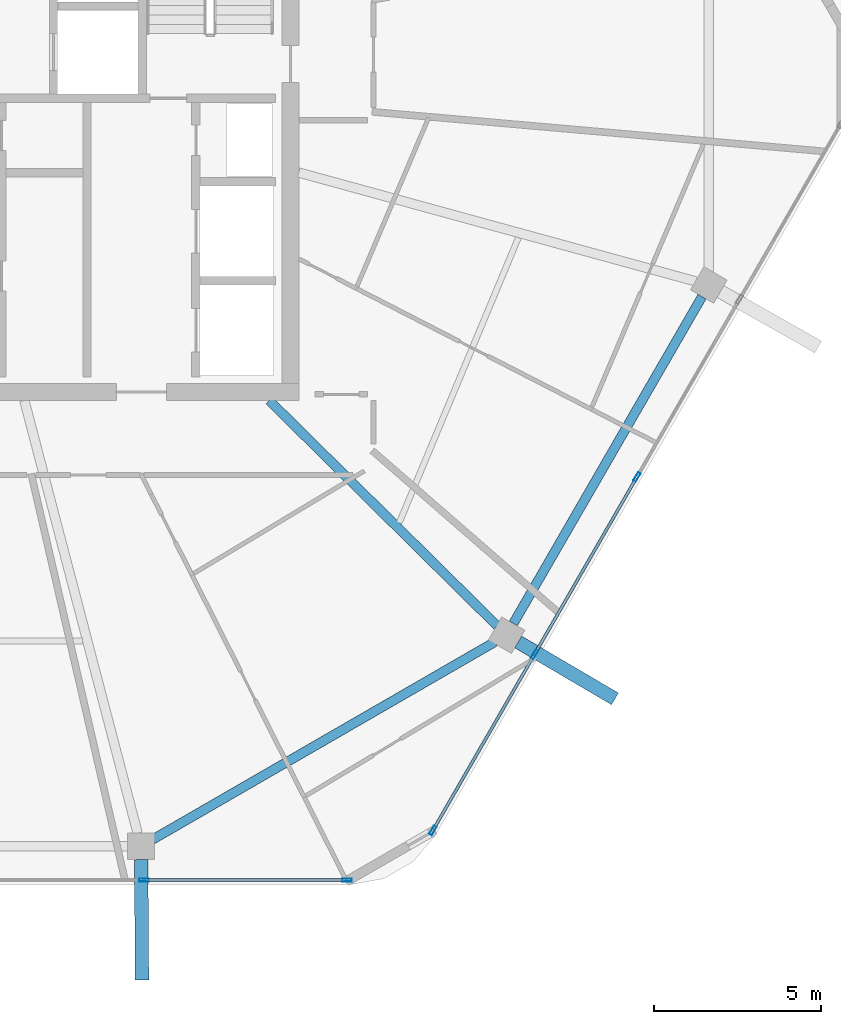
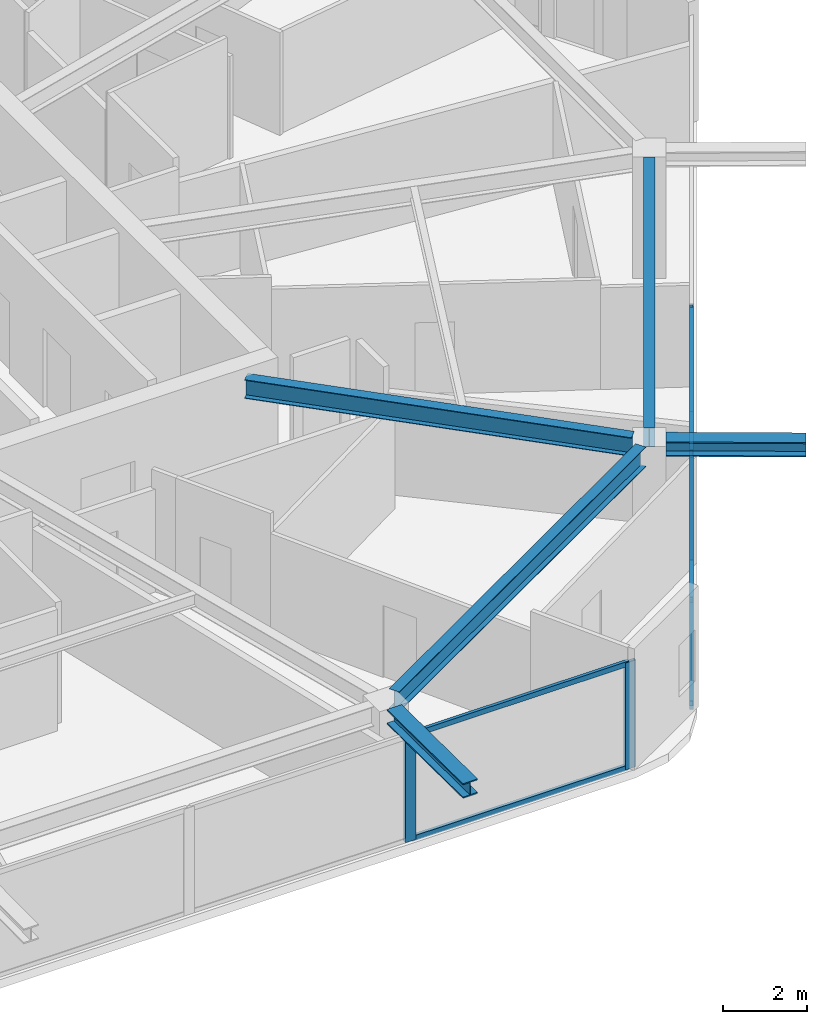
# One storey, part 5 of 21: 11 members, 5 beams, 2 elements without a shape of their own.
"""IFC4 building model written with IfcOpenShell, lengths in metres."""

from ifc_helpers import new_model, si_unit, direction, frame, origin, origin_2d, place, context, subcontext, project, spatial, hollow_rectangle, i_section, extrude, material, material_profile, profile_set, type_object, element, aggregate, save


model = new_model("IFC4")

# Units and contexts
model_context = context("Model", 3, precision=1e-05, world=origin(), true_north=direction((0.0, 1.0)))
body_context = subcontext(model_context, "Body", "Model", "MODEL_VIEW")
ifc_project = project(units=[si_unit("LENGTHUNIT", "METRE"), si_unit("AREAUNIT", "SQUARE_METRE"), si_unit("VOLUMEUNIT", "CUBIC_METRE"), si_unit("PLANEANGLEUNIT", "RADIAN"), si_unit("MASSUNIT", "GRAM", prefix="KILO")], contexts=[model_context])

# Site, building, storey
site_placement = place(None, origin())
site = spatial("IfcSite", under=ifc_project, at=site_placement, CompositionType="ELEMENT")
building_placement = place(site_placement, origin())
building = spatial("IfcBuilding", under=site, at=building_placement, Name="Zuhravey Tower", CompositionType="ELEMENT")
storey_placement = place(building_placement, frame((0.0, 0.0, 319.60009765625)))
storey = spatial("IfcBuildingStorey", under=building, at=storey_placement, Name="L81", CompositionType="ELEMENT", Elevation=319.60009765625)

# Curtain wall, members
ifc_material_1 = material(Name="Thermally broken anodised aluminium", Category="aluminium")
curtain_wall_type = type_object("IfcCurtainWallType", Name="Zone 3-4 High-Rise Curtain Wall CW4", PredefinedType="NOTDEFINED", material=ifc_material_1)
curtain_wall_1_placement = place(storey_placement, origin())
curtain_wall_1 = element("IfcCurtainWall", 1, at=curtain_wall_1_placement, inside=storey, type_object=curtain_wall_type, Name="L81 CW4 CW-L81-F6-1", PredefinedType="NOTDEFINED")
ifc_material_2 = material(Name="Anodised aluminium", Category="aluminium")
ifc_material_profile_1 = material_profile(ifc_material_2, hollow_rectangle(XDim=0.090087890625, YDim=0.284912109375, WallThickness=0.0048828125, at=origin_2d()), Name="ALU-RHS-90x285x5")
ifc_profile_set_1 = profile_set([ifc_material_profile_1], Name="Anodised aluminium")
member_type_1 = type_object("IfcMemberType", Name="Curtain-Wall Mullion 90x180", PredefinedType="MULLION", material=ifc_profile_set_1)
member_1_placement = place(storey_placement, frame((56.8486328125, 19.962890625, 0.0), z_axis=(0.0, 0.0, 1.0), x_axis=(0.866025511541, -0.49999981336, 0.0)))
member_1 = element("IfcMember", 2, at=member_1_placement, type_object=member_type_1, Name="CW4 mullion 3", PredefinedType="MULLION", context=body_context, shape_type="SweptSolid", body=[
    extrude(hollow_rectangle(XDim=0.090087890625, YDim=0.284912109375, WallThickness=0.0048828125, at=origin_2d()), origin(), (0.0, 0.0, 1.0), 3.121826171875),
])
member_2_placement = place(storey_placement, frame((53.788818359375, 14.6630859375, 0.0), z_axis=(0.0, 0.0, 1.0), x_axis=(0.866025511541, -0.49999981336, 0.0)))
member_2 = element("IfcMember", 3, at=member_2_placement, type_object=member_type_1, Name="CW4 mullion 4", PredefinedType="MULLION", context=body_context, shape_type="SweptSolid", body=[
    extrude(hollow_rectangle(XDim=0.090087890625, YDim=0.284912109375, WallThickness=0.0048828125, at=origin_2d()), origin(), (0.0, 0.0, 1.0), 3.121826171875),
])
member_3_placement = place(storey_placement, frame((50.751708984375, 9.40234375, 0.0), z_axis=(0.0, 0.0, 1.0), x_axis=(0.866025511541, -0.49999981336, 0.0)))
member_3 = element("IfcMember", 4, at=member_3_placement, type_object=member_type_1, Name="CW4 mullion 5", PredefinedType="MULLION", context=body_context, shape_type="SweptSolid", body=[
    extrude(hollow_rectangle(XDim=0.090087890625, YDim=0.284912109375, WallThickness=0.0048828125, at=origin_2d()), origin(), (0.0, 0.0, 1.0), 3.121826171875),
])

curtain_wall_2_placement = place(storey_placement, origin())
curtain_wall_2 = element("IfcCurtainWall", 5, at=curtain_wall_2_placement, inside=storey, type_object=curtain_wall_type, Name="L81 CW4 CW-L81-F5-1", PredefinedType="NOTDEFINED")
member_4_placement = place(storey_placement, frame((48.1943359375, 7.92578125, 0.0), z_axis=(0.0, 0.0, 1.0), x_axis=(0.0, -1.0, 0.0)))
member_4 = element("IfcMember", 6, at=member_4_placement, type_object=member_type_1, Name="CW4 mullion 1", PredefinedType="MULLION", context=body_context, shape_type="SweptSolid", body=[
    extrude(hollow_rectangle(XDim=0.090087890625, YDim=0.284912109375, WallThickness=0.0048828125, at=origin_2d()), origin(), (0.0, 0.0, 1.0), 3.121826171875),
])
member_5_placement = place(storey_placement, frame((42.11962890625, 7.92578125, 0.0), z_axis=(0.0, 0.0, 1.0), x_axis=(0.0, -1.0, 0.0)))
member_5 = element("IfcMember", 7, at=member_5_placement, type_object=member_type_1, Name="CW4 mullion 2", PredefinedType="MULLION", context=body_context, shape_type="SweptSolid", body=[
    extrude(hollow_rectangle(XDim=0.090087890625, YDim=0.284912109375, WallThickness=0.0048828125, at=origin_2d()), origin(), (0.0, 0.0, 1.0), 3.121826171875),
])

# Member
ifc_material_profile_2 = material_profile(ifc_material_2, hollow_rectangle(XDim=0.090087890625, YDim=0.14990234375, WallThickness=0.0048828125, at=origin_2d()), Name="ALU-RHS-90x150x5")
ifc_profile_set_2 = profile_set([ifc_material_profile_2], Name="Anodised aluminium")
member_type_2 = type_object("IfcMemberType", Name="Curtain-Wall Transom 90x150", PredefinedType="USERDEFINED", material=ifc_profile_set_2)
member_6_placement = place(storey_placement, frame((56.826171875, 19.924072265625, 0.044921875), z_axis=(-0.499971305196, -0.866041970103, 0.0), x_axis=(0.866041970103, -0.499971305196, 0.0)))
member_6 = element("IfcMember", 8, at=member_6_placement, type_object=member_type_2, Name="CW4 transom 3.1", ObjectType="TRANSOM", PredefinedType="USERDEFINED", context=body_context, shape_type="SweptSolid", body=[
    extrude(hollow_rectangle(XDim=0.090087890625, YDim=0.14990234375, WallThickness=0.0048828125, at=origin_2d()), origin(), (0.0, 0.0, 1.0), 6.029541015625),
])

member_7_placement = place(storey_placement, frame((56.826171875, 19.924072265625, 3.076904296875), z_axis=(-0.499971305196, -0.866041970103, 0.0), x_axis=(0.866041970103, -0.499971305196, 0.0)))
member_7 = element("IfcMember", 9, at=member_7_placement, type_object=member_type_2, Name="CW4 transom 3.2", ObjectType="TRANSOM", PredefinedType="USERDEFINED", context=body_context, shape_type="SweptSolid", body=[
    extrude(hollow_rectangle(XDim=0.090087890625, YDim=0.14990234375, WallThickness=0.0048828125, at=origin_2d()), origin(), (0.0, 0.0, 1.0), 6.029541015625),
])

member_8_placement = place(storey_placement, frame((53.766357421875, 14.624267578125, 0.044921875), z_axis=(-0.499982594807, -0.866035452444, 0.0), x_axis=(0.866035452444, -0.499982594807, 0.0)))
member_8 = element("IfcMember", 10, at=member_8_placement, type_object=member_type_2, Name="CW4 transom 4.1", ObjectType="TRANSOM", PredefinedType="USERDEFINED", context=body_context, shape_type="SweptSolid", body=[
    extrude(hollow_rectangle(XDim=0.090087890625, YDim=0.14990234375, WallThickness=0.0048828125, at=origin_2d()), origin(), (0.0, 0.0, 1.0), 5.984619140625),
])

member_9_placement = place(storey_placement, frame((53.766357421875, 14.624267578125, 3.076904296875), z_axis=(-0.499982594807, -0.866035452444, 0.0), x_axis=(0.866035452444, -0.499982594807, 0.0)))
member_9 = element("IfcMember", 11, at=member_9_placement, type_object=member_type_2, Name="CW4 transom 4.2", ObjectType="TRANSOM", PredefinedType="USERDEFINED", context=body_context, shape_type="SweptSolid", body=[
    extrude(hollow_rectangle(XDim=0.090087890625, YDim=0.14990234375, WallThickness=0.0048828125, at=origin_2d()), origin(), (0.0, 0.0, 1.0), 5.984619140625),
])

aggregate(curtain_wall_1, [member_1, member_2, member_3, member_6, member_7, member_8, member_9])

member_10_placement = place(storey_placement, frame((48.1494140625, 7.92578125, 0.044921875), z_axis=(-1.0, 0.0, 0.0), x_axis=(0.0, -1.0, 0.0)))
member_10 = element("IfcMember", 12, at=member_10_placement, type_object=member_type_2, Name="CW4 transom 1.1", ObjectType="TRANSOM", PredefinedType="USERDEFINED", context=body_context, shape_type="SweptSolid", body=[
    extrude(hollow_rectangle(XDim=0.090087890625, YDim=0.14990234375, WallThickness=0.0048828125, at=origin_2d()), origin(), (0.0, 0.0, 1.0), 5.98486328125),
])

member_11_placement = place(storey_placement, frame((48.1494140625, 7.92578125, 3.076904296875), z_axis=(-1.0, 0.0, 0.0), x_axis=(0.0, -1.0, 0.0)))
member_11 = element("IfcMember", 13, at=member_11_placement, type_object=member_type_2, Name="CW4 transom 1.2", ObjectType="TRANSOM", PredefinedType="USERDEFINED", context=body_context, shape_type="SweptSolid", body=[
    extrude(hollow_rectangle(XDim=0.090087890625, YDim=0.14990234375, WallThickness=0.0048828125, at=origin_2d()), origin(), (0.0, 0.0, 1.0), 5.98486328125),
])

aggregate(curtain_wall_2, [member_4, member_5, member_10, member_11])

# Beams
ifc_material_3 = material(Name="Steel SM460", Category="steel")
ifc_material_profile_3 = material_profile(ifc_material_3, i_section(OverallWidth=0.406982421875, OverallDepth=0.427978515625, WebThickness=0.02001953125, FlangeThickness=0.034912109375, at=origin_2d()), Name="H-428x407x20x35")
ifc_profile_set_3 = profile_set([ifc_material_profile_3], Name="Steel SM460")
beam_type_1 = type_object("IfcBeamType", Name="Exoskeleton Node Tie Beam H428x407", PredefinedType="BEAM", material=ifc_profile_set_3)
beam_1_placement = place(storey_placement, frame((42.04150390625, 8.531982421875, 3.3359375), z_axis=(0.007206285107, -0.99997403439, 0.0), x_axis=(0.99997403439, 0.007206285107, 0.0)))
element("IfcBeam", 14, at=beam_1_placement, inside=storey, type_object=beam_type_1, Name="L81 Exoskeleton Node Tie NT1-10", PredefinedType="BEAM", context=body_context, shape_type="SweptSolid", body=[
    extrude(i_section(OverallWidth=0.406982421875, OverallDepth=0.427978515625, WebThickness=0.02001953125, FlangeThickness=0.034912109375, at=origin_2d()), origin(), (0.0, 0.0, 1.0), 3.591064453125),
])
beam_2_placement = place(storey_placement, frame((53.302978515625, 15.03369140625, 3.3359375), z_axis=(0.862181316244, -0.506599820292, 0.0), x_axis=(0.506599820292, 0.862181316244, 0.0)))
element("IfcBeam", 15, at=beam_2_placement, inside=storey, type_object=beam_type_1, Name="L81 Exoskeleton Node Tie NT1-11", PredefinedType="BEAM", context=body_context, shape_type="SweptSolid", body=[
    extrude(i_section(OverallWidth=0.406982421875, OverallDepth=0.427978515625, WebThickness=0.02001953125, FlangeThickness=0.034912109375, at=origin_2d()), origin(), (0.0, 0.0, 1.0), 3.351318359375),
])
ifc_material_4 = material(Name="Steel SM355", Category="steel")
ifc_material_profile_4 = material_profile(ifc_material_4, i_section(OverallWidth=0.280029296875, OverallDepth=0.580078125, WebThickness=0.011962890625, FlangeThickness=0.01904296875, at=origin_2d()), Name="H-580x280x12x19")
ifc_profile_set_4 = profile_set([ifc_material_profile_4], Name="Steel SM355")
beam_type_2 = type_object("IfcBeamType", Name="Perimeter Ring Beam H580x280", PredefinedType="BEAM", material=ifc_profile_set_4)
beam_3_placement = place(storey_placement, frame((42.3876953125, 9.137451171875, 3.260009765625), z_axis=(0.866023977509, 0.500002470373, 0.0), x_axis=(-0.500002470373, 0.866023977509, 0.0)))
element("IfcBeam", 16, at=beam_3_placement, inside=storey, type_object=beam_type_2, Name="L81 PB4 BM-L81-PB-10", PredefinedType="BEAM", context=body_context, shape_type="SweptSolid", body=[
    extrude(i_section(OverallWidth=0.280029296875, OverallDepth=0.580078125, WebThickness=0.011962890625, FlangeThickness=0.01904296875, at=origin_2d()), origin(), (0.0, 0.0, 1.0), 11.798828125),
])
beam_4_placement = place(storey_placement, frame((53.15625, 15.58740234375, 3.260009765625), z_axis=(0.500006198144, 0.866021825255, 0.0), x_axis=(-0.866021825255, 0.500006198144, 0.0)))
element("IfcBeam", 17, at=beam_4_placement, inside=storey, type_object=beam_type_2, Name="L81 PB4 BM-L81-PB-11", PredefinedType="BEAM", context=body_context, shape_type="SweptSolid", body=[
    extrude(i_section(OverallWidth=0.280029296875, OverallDepth=0.580078125, WebThickness=0.011962890625, FlangeThickness=0.01904296875, at=origin_2d()), origin(), (0.0, 0.0, 1.0), 11.271240234375),
])
ifc_material_profile_5 = material_profile(ifc_material_4, i_section(OverallWidth=0.280029296875, OverallDepth=0.550048828125, WebThickness=0.010986328125, FlangeThickness=0.01806640625, at=origin_2d()), Name="H-550x280x11x18")
ifc_profile_set_5 = profile_set([ifc_material_profile_5], Name="Steel SM355")
beam_type_3 = type_object("IfcBeamType", Name="Radial Primary Girder H550x280", PredefinedType="BEAM", material=ifc_profile_set_5)
beam_5_placement = place(storey_placement, frame((45.865234375, 22.2470703125, 3.27490234375), z_axis=(0.711153035666, -0.703037239314, 0.0), x_axis=(0.703037239314, 0.711153035666, 0.0)))
element("IfcBeam", 18, at=beam_5_placement, inside=storey, type_object=beam_type_3, Name="L81 RG4 BM-L81-RAD-11", PredefinedType="BEAM", context=body_context, shape_type="SweptSolid", body=[
    extrude(i_section(OverallWidth=0.280029296875, OverallDepth=0.550048828125, WebThickness=0.010986328125, FlangeThickness=0.01806640625, at=origin_2d()), origin(), (0.0, 0.0, 1.0), 9.566162109375),
])

save(model, "model.ifc")
